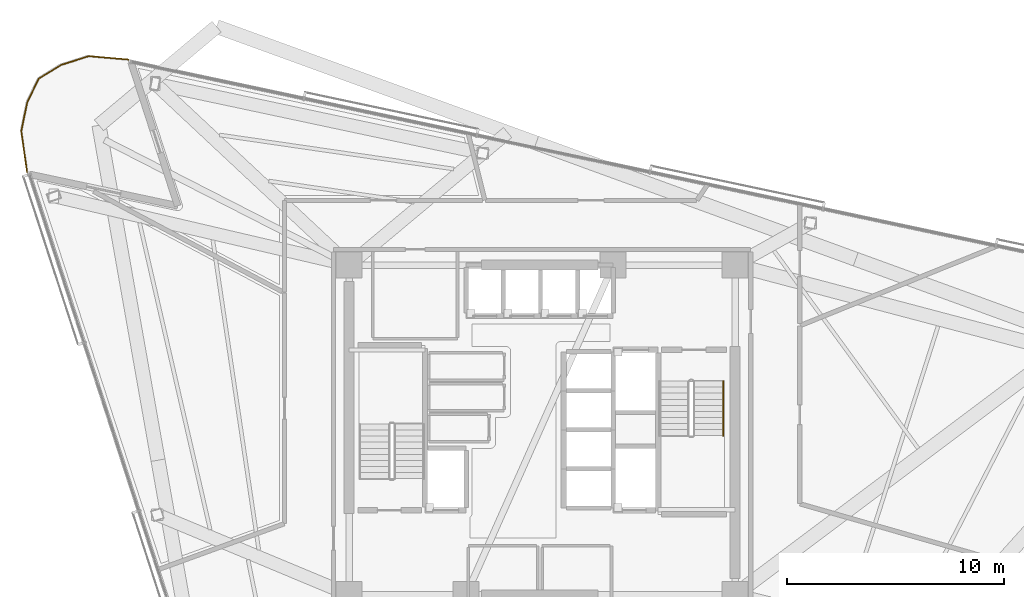
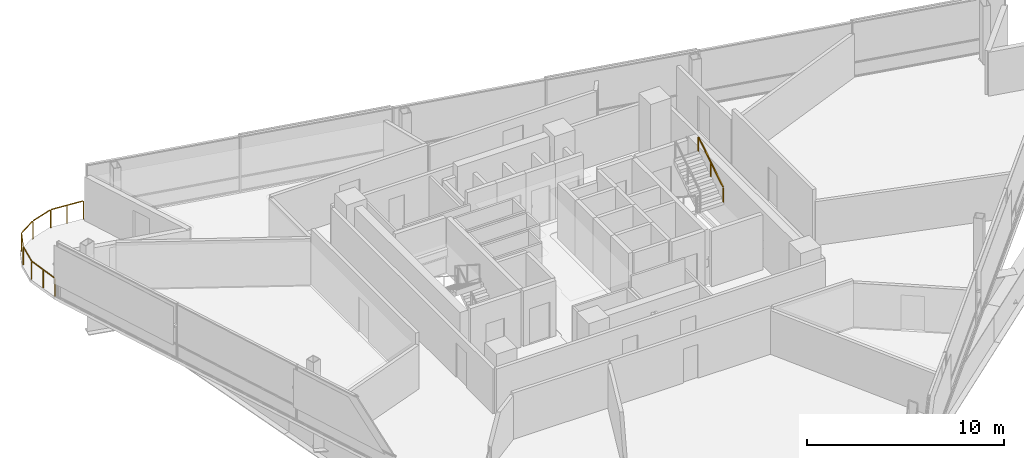
# One storey, part 17 of 17: 2 railings.
"""IFC4 building model written with IfcOpenShell, lengths in metres."""

from ifc_helpers import new_model, si_unit, direction, frame, origin, origin_2d, place, context, subcontext, project, spatial, rectangle, extrude, material, type_object, element, save


model = new_model("IFC4")

# Units and contexts
model_context = context("Model", 3, precision=1e-05, world=origin(), true_north=direction((0.0, 1.0)))
body_context = subcontext(model_context, "Body", "Model", "MODEL_VIEW")
ifc_project = project(units=[si_unit("LENGTHUNIT", "METRE"), si_unit("AREAUNIT", "SQUARE_METRE"), si_unit("VOLUMEUNIT", "CUBIC_METRE"), si_unit("PLANEANGLEUNIT", "RADIAN"), si_unit("MASSUNIT", "GRAM", prefix="KILO")], contexts=[model_context])

# Site, building, storey
site_placement = place(None, origin())
site = spatial("IfcSite", under=ifc_project, at=site_placement, CompositionType="ELEMENT")
building_placement = place(site_placement, origin())
building = spatial("IfcBuilding", under=site, at=building_placement, Name="Tharavind Bronze Gate", CompositionType="ELEMENT")
storey_placement = place(building_placement, frame((0.0, 0.0, 196.85009765625)))
storey = spatial("IfcBuildingStorey", under=building, at=storey_placement, Name="L50", CompositionType="ELEMENT", Elevation=196.85009765625)

# Railings
ifc_material_1 = material(Name="Brushed Bronze Alloy", Category="metal")
railing_type_1 = type_object("IfcRailingType", Name="STAIR BRONZE HANDRAIL 900", PredefinedType="HANDRAIL", material=ifc_material_1)
railing_1_placement = place(storey_placement, frame((8.35009765625, -0.27001953125, 1.97998046875)))
element("IfcRailing", 1, at=railing_1_placement, inside=storey, type_object=railing_type_1, Name="L50 ST2 stair handrail 2", PredefinedType="HANDRAIL", context=body_context, shape_type="SweptSolid", body=[
    extrude(rectangle(XDim=0.048095703125, YDim=0.048095703125, at=origin_2d()), frame((0.0, 0.02685546875, 0.89306640625), z_axis=(0.0, 0.841199657755, 0.540724639528), x_axis=(-1.0, 0.0, 0.0)), (0.0, 0.0, 1.0), 2.931640625),
    extrude(rectangle(XDim=0.0400390625, YDim=0.0400390625, at=origin_2d()), origin(), (0.0, 0.0, 1.0), 0.847900390625),
    extrude(rectangle(XDim=0.0400390625, YDim=0.0400390625, at=origin_2d()), frame((0.0, 1.260009765625, 0.81005859375)), (0.0, 0.0, 1.0), 0.847900390625),
    extrude(rectangle(XDim=0.0400390625, YDim=0.0400390625, at=origin_2d()), frame((0.0, 2.52001953125, 1.619873046875)), (0.0, 0.0, 1.0), 0.847900390625),
])
ifc_material_2 = material(Name="Bronze Cap & Laminated Glass", Category="glass")
railing_type_2 = type_object("IfcRailingType", Name="TERRACE GLASS GUARD RAILING 1150", PredefinedType="GUARDRAIL", material=ifc_material_2)
railing_2_placement = place(storey_placement, frame((-23.7490234375, 11.887451171875, 0.0)))
element("IfcRailing", 2, at=railing_2_placement, inside=storey, type_object=railing_type_2, Name="L50 tree balcony guard railing", PredefinedType="GUARDRAIL", context=body_context, shape_type="SweptSolid", body=[
    extrude(rectangle(XDim=0.048095703125, YDim=0.048095703125, at=origin_2d()), frame((-0.00439453125, 0.03173828125, 1.1259765625), z_axis=(-0.1396808932, 0.990196570422, 0.0), x_axis=(-0.990196570422, -0.1396808932, 0.0)), (0.0, 0.0, 1.0), 1.841064453125),
    extrude(rectangle(XDim=0.048095703125, YDim=0.048095703125, at=origin_2d()), frame((-0.259765625, 1.917724609375, 1.1259765625), z_axis=(0.201091111257, 0.979572541966, 0.0), x_axis=(-0.979572541966, 0.201091111257, 0.0)), (0.0, 0.0, 1.0), 1.284912109375),
    extrude(rectangle(XDim=0.048095703125, YDim=0.048095703125, at=origin_2d()), frame((0.01904296875, 3.236572265625, 1.1259765625), z_axis=(0.435566196468, 0.900156702188, 0.0), x_axis=(-0.900156702188, 0.435566196468, 0.0)), (0.0, 0.0, 1.0), 1.147216796875),
    extrude(rectangle(XDim=0.048095703125, YDim=0.048095703125, at=origin_2d()), frame((0.559814453125, 4.31494140625, 1.1259765625), z_axis=(0.849714893769, 0.527242448316, 0.0), x_axis=(-0.527242448316, 0.849714893769, 0.0)), (0.0, 0.0, 1.0), 1.1474609375),
    extrude(rectangle(XDim=0.048095703125, YDim=0.048095703125, at=origin_2d()), frame((1.592529296875, 4.946533203125, 1.1259765625), z_axis=(0.953163202503, 0.302456458675, 0.0), x_axis=(-0.302456458675, 0.953163202503, 0.0)), (0.0, 0.0, 1.0), 1.284912109375),
    extrude(rectangle(XDim=0.048095703125, YDim=0.048095703125, at=origin_2d()), frame((2.879638671875, 5.342041015625, 1.1259765625), z_axis=(0.996289002034, -0.086071042903, 0.0), x_axis=(0.086071042903, 0.996289002034, 0.0)), (0.0, 0.0, 1.0), 1.765625),
    extrude(rectangle(XDim=0.0400390625, YDim=0.0400390625, at=origin_2d()), origin(), (0.0, 0.0, 1.0), 1.097900390625),
    extrude(rectangle(XDim=0.0400390625, YDim=0.0400390625, at=origin_2d()), frame((-0.133056640625, 0.943359375, 0.0)), (0.0, 0.0, 1.0), 1.097900390625),
    extrude(rectangle(XDim=0.0400390625, YDim=0.0400390625, at=origin_2d()), frame((-0.26611328125, 1.886474609375, 0.0)), (0.0, 0.0, 1.0), 1.097900390625),
    extrude(rectangle(XDim=0.0400390625, YDim=0.0400390625, at=origin_2d()), frame((0.005126953125, 3.207763671875, 0.0)), (0.0, 0.0, 1.0), 1.097900390625),
    extrude(rectangle(XDim=0.0400390625, YDim=0.0400390625, at=origin_2d()), frame((0.53271484375, 4.298095703125, 0.0)), (0.0, 0.0, 1.0), 1.097900390625),
    extrude(rectangle(XDim=0.0400390625, YDim=0.0400390625, at=origin_2d()), frame((1.56201171875, 4.936767578125, 0.0)), (0.0, 0.0, 1.0), 1.097900390625),
    extrude(rectangle(XDim=0.0400390625, YDim=0.0400390625, at=origin_2d()), frame((2.84765625, 5.3447265625, 0.0)), (0.0, 0.0, 1.0), 1.097900390625),
    extrude(rectangle(XDim=0.0400390625, YDim=0.0400390625, at=origin_2d()), frame((3.759033203125, 5.26611328125, 0.0)), (0.0, 0.0, 1.0), 1.097900390625),
    extrude(rectangle(XDim=0.0400390625, YDim=0.0400390625, at=origin_2d()), frame((4.67041015625, 5.187255859375, 0.0)), (0.0, 0.0, 1.0), 1.097900390625),
])

save(model, "model.ifc")
